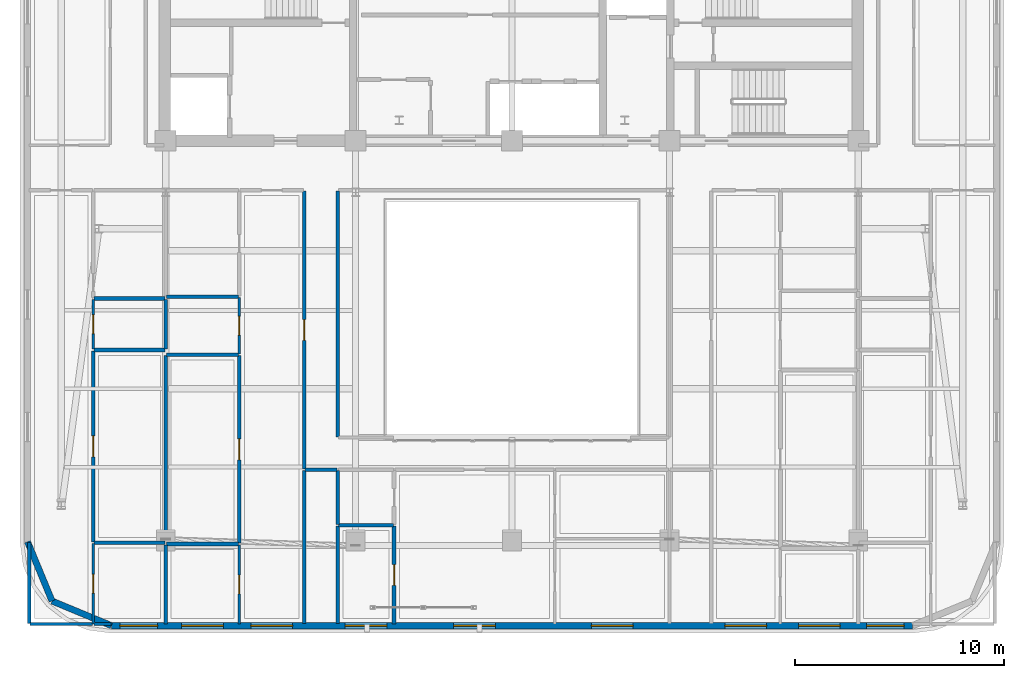
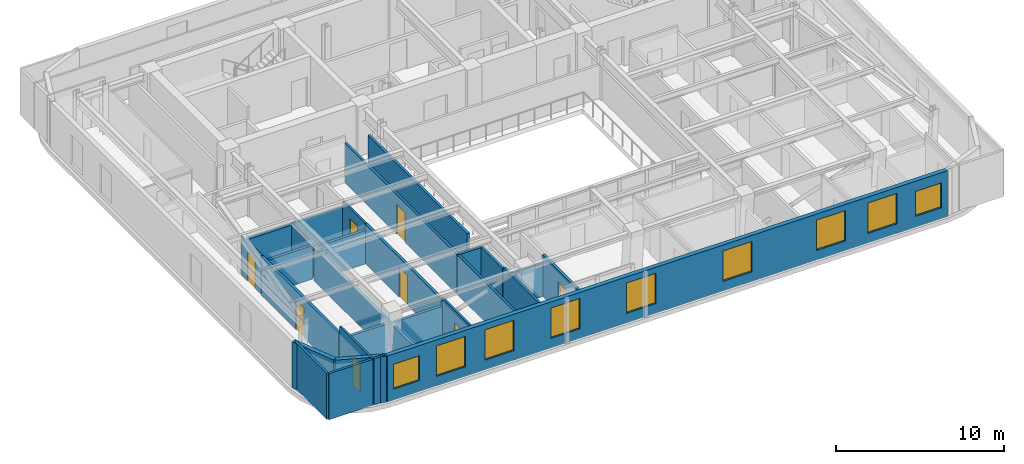
# One storey, part 6 of 14: 29 walls, 9 windows, 8 doors, 17 openings.
"""IFC4 building model written with IfcOpenShell, lengths in metres."""

from ifc_helpers import new_model, si_unit, direction, frame, frame_2d, origin, place, context, subcontext, project, spatial, rectangle, extrude, material, layer, layer_set, type_object, element, fill, save


model = new_model("IFC4")

# Units and contexts
model_context = context("Model", 3, precision=1e-05, world=origin(), true_north=direction((0.0, 1.0)))
body_context = subcontext(model_context, "Body", "Model", "MODEL_VIEW")
ifc_project = project(units=[si_unit("LENGTHUNIT", "METRE"), si_unit("AREAUNIT", "SQUARE_METRE"), si_unit("VOLUMEUNIT", "CUBIC_METRE"), si_unit("PLANEANGLEUNIT", "RADIAN"), si_unit("MASSUNIT", "GRAM", prefix="KILO")], contexts=[model_context])

# Site, building, storey
site_placement = place(None, origin())
site = spatial("IfcSite", under=ifc_project, at=site_placement, CompositionType="ELEMENT")
building_placement = place(site_placement, origin())
building = spatial("IfcBuilding", under=site, at=building_placement, Name="Zarnavel Station Tower", CompositionType="ELEMENT")
storey_placement = place(building_placement, frame((0.0, 0.0, 193.199951171875)))
storey = spatial("IfcBuildingStorey", under=building, at=storey_placement, Name="L52", CompositionType="ELEMENT", Elevation=193.199951171875)

# Walls
ifc_material_1 = material(Name="Precast concrete C45/55 (Dark Basalt Finish)", Category="masonry")
ifc_layer_1 = layer(ifc_material_1, 0.300048828125)
ifc_layer_set_1 = layer_set([ifc_layer_1], Name="EW_BASALT_300")
wall_type_1 = type_object("IfcWallType", Name="EW_BASALT_300", PredefinedType="SOLIDWALL", material=ifc_layer_set_1)
for number, where, z_axis, x_axis, name in (
    (1, (6.75732421875, 5.75732421875, 0.0), (0.0, 0.0, 1.0), (-0.382608747773, 0.923910464346, 0.0), "L52 Exterior Basalt Masonry Frame Wall 10"),
    (2, (9.60009765625, 4.580078125, 0.0), (0.0, 0.0, 1.0), (-0.923910464346, 0.382608747773, 0.0), "L52 Exterior Basalt Masonry Frame Wall 11"),
):
    element("IfcWall", number, at=place(storey_placement, frame(where, z_axis=z_axis, x_axis=x_axis)), inside=storey, type_object=wall_type_1, Name=name, PredefinedType="SOLIDWALL", context=body_context, shape_type="SweptSolid", body=[
        extrude(rectangle(XDim=3.076904296875, YDim=0.300048828125, at=frame_2d((1.53857421875, 0.0))), origin(), (0.0, 0.0, 1.0), 3.340087890625),
    ])

# Wall, openings, windows
wall_1_placement = place(storey_placement, frame((48.0, 4.580078125, 0.0), z_axis=(0.0, 0.0, 1.0), x_axis=(-1.0, 0.0, 0.0)))
wall_1 = element("IfcWall", 3, at=wall_1_placement, inside=storey, type_object=wall_type_1, Name="L52 Exterior Basalt Masonry Frame Wall 12", PredefinedType="SOLIDWALL", context=body_context, shape_type="SweptSolid", body=[
    extrude(rectangle(XDim=38.39990234375, YDim=0.300048828125, at=frame_2d((19.199951171875, 0.0))), origin(), (0.0, 0.0, 1.0), 3.340087890625),
])
opening_1_placement = place(wall_1_placement, frame((36.18994140625, 0.0, 0.800048828125)))
opening_1 = element("IfcOpeningElement", 4, at=opening_1_placement, cuts=wall_1, Name="Opening WN02", PredefinedType="OPENING", context=body_context, shape_type="SweptSolid", body=[
    extrude(rectangle(XDim=1.800048828125, YDim=1.800048828125, at=frame_2d((0.89990234375, 0.89990234375))), frame((0.0, 0.159912109375, 0.0), z_axis=(0.0, -1.0, 0.0), x_axis=(1.0, 0.0, 0.0)), (0.0, 0.0, 1.0), 0.320068359375),
])
opening_2_placement = place(wall_1_placement, frame((29.71240234375, 0.0, 0.699951171875)))
opening_2 = element("IfcOpeningElement", 5, at=opening_2_placement, cuts=wall_1, Name="Opening WN07", PredefinedType="OPENING", context=body_context, shape_type="SweptSolid", body=[
    extrude(rectangle(XDim=2.0, YDim=2.199951171875, at=frame_2d((1.0, 1.10009765625))), frame((0.0, 0.159912109375, 0.0), z_axis=(0.0, -1.0, 0.0), x_axis=(1.0, 0.0, 0.0)), (0.0, 0.0, 1.0), 0.320068359375),
])
opening_3_placement = place(wall_1_placement, frame((33.03759765625, 0.0, 0.699951171875)))
opening_3 = element("IfcOpeningElement", 6, at=opening_3_placement, cuts=wall_1, Name="Opening WN07", PredefinedType="OPENING", context=body_context, shape_type="SweptSolid", body=[
    extrude(rectangle(XDim=2.0, YDim=2.199951171875, at=frame_2d((1.0, 1.10009765625))), frame((0.0, 0.159912109375, 0.0), z_axis=(0.0, -1.0, 0.0), x_axis=(1.0, 0.0, 0.0)), (0.0, 0.0, 1.0), 0.320068359375),
])
opening_4_placement = place(wall_1_placement, frame((20.0, 0.0, 0.699951171875)))
opening_4 = element("IfcOpeningElement", 7, at=opening_4_placement, cuts=wall_1, Name="Opening WN07", PredefinedType="OPENING", context=body_context, shape_type="SweptSolid", body=[
    extrude(rectangle(XDim=2.0, YDim=2.199951171875, at=frame_2d((1.0, 1.10009765625))), frame((0.0, 0.159912109375, 0.0), z_axis=(0.0, -1.0, 0.0), x_axis=(1.0, 0.0, 0.0)), (0.0, 0.0, 1.0), 0.320068359375),
])
opening_5_placement = place(wall_1_placement, frame((25.199951171875, 0.0, 0.699951171875)))
opening_5 = element("IfcOpeningElement", 8, at=opening_5_placement, cuts=wall_1, Name="Opening WN07", PredefinedType="OPENING", context=body_context, shape_type="SweptSolid", body=[
    extrude(rectangle(XDim=2.0, YDim=2.199951171875, at=frame_2d((1.0, 1.10009765625))), frame((0.0, 0.159912109375, 0.0), z_axis=(0.0, -1.0, 0.0), x_axis=(1.0, 0.0, 0.0)), (0.0, 0.0, 1.0), 0.320068359375),
])
opening_6_placement = place(wall_1_placement, frame((13.39990234375, 0.0, 0.699951171875)))
opening_6 = element("IfcOpeningElement", 9, at=opening_6_placement, cuts=wall_1, Name="Opening WN07", PredefinedType="OPENING", context=body_context, shape_type="SweptSolid", body=[
    extrude(rectangle(XDim=2.0, YDim=2.199951171875, at=frame_2d((1.0, 1.10009765625))), frame((0.0, 0.159912109375, 0.0), z_axis=(0.0, -1.0, 0.0), x_axis=(1.0, 0.0, 0.0)), (0.0, 0.0, 1.0), 0.320068359375),
])
opening_7_placement = place(wall_1_placement, frame((6.993408203125, 0.0, 0.699951171875)))
opening_7 = element("IfcOpeningElement", 10, at=opening_7_placement, cuts=wall_1, Name="Opening WN07", PredefinedType="OPENING", context=body_context, shape_type="SweptSolid", body=[
    extrude(rectangle(XDim=2.0, YDim=2.199951171875, at=frame_2d((1.0, 1.10009765625))), frame((0.0, 0.159912109375, 0.0), z_axis=(0.0, -1.0, 0.0), x_axis=(1.0, 0.0, 0.0)), (0.0, 0.0, 1.0), 0.320068359375),
])
opening_8_placement = place(wall_1_placement, frame((3.468505859375, 0.0, 0.699951171875)))
opening_8 = element("IfcOpeningElement", 11, at=opening_8_placement, cuts=wall_1, Name="Opening WN07", PredefinedType="OPENING", context=body_context, shape_type="SweptSolid", body=[
    extrude(rectangle(XDim=2.0, YDim=2.199951171875, at=frame_2d((1.0, 1.10009765625))), frame((0.0, 0.159912109375, 0.0), z_axis=(0.0, -1.0, 0.0), x_axis=(1.0, 0.0, 0.0)), (0.0, 0.0, 1.0), 0.320068359375),
])
opening_9_placement = place(wall_1_placement, frame((0.409912109375, 0.0, 0.800048828125)))
opening_9 = element("IfcOpeningElement", 12, at=opening_9_placement, cuts=wall_1, Name="Opening WN02", PredefinedType="OPENING", context=body_context, shape_type="SweptSolid", body=[
    extrude(rectangle(XDim=1.800048828125, YDim=1.800048828125, at=frame_2d((0.89990234375, 0.89990234375))), frame((0.0, 0.159912109375, 0.0), z_axis=(0.0, -1.0, 0.0), x_axis=(1.0, 0.0, 0.0)), (0.0, 0.0, 1.0), 0.320068359375),
])
ifc_material_2 = material(Name="Thermally Broken Black Aluminium and Low-E Dark Glass", Category="aluminium")
window_type_1 = type_object("IfcWindowType", Name="WN_1800x1800", PartitioningType="DOUBLE_PANEL_VERTICAL", PredefinedType="WINDOW", material=ifc_material_2)
window_1_placement = place(opening_1_placement, origin())
window_1 = element("IfcWindow", 13, at=window_1_placement, inside=storey, type_object=window_type_1, Name="L52 Recessed Facade Window 01", OverallHeight=1.800048828125, OverallWidth=1.800048828125, PartitioningType="SINGLE_PANEL", PredefinedType="WINDOW", context=body_context, shape_type="SweptSolid", body=[
    extrude(rectangle(XDim=1.800048828125, YDim=1.800048828125, at=frame_2d((0.89990234375, 0.89990234375))), frame((0.0, 0.030029296875, 0.0), z_axis=(0.0, -1.0, 0.0), x_axis=(1.0, 0.0, 0.0)), (0.0, 0.0, 1.0), 0.06005859375),
])
fill(opening_1, window_1)
window_2_placement = place(opening_9_placement, origin())
window_2 = element("IfcWindow", 14, at=window_2_placement, inside=storey, type_object=window_type_1, Name="L52 Recessed Facade Window 09", OverallHeight=1.800048828125, OverallWidth=1.800048828125, PartitioningType="SINGLE_PANEL", PredefinedType="WINDOW", context=body_context, shape_type="SweptSolid", body=[
    extrude(rectangle(XDim=1.800048828125, YDim=1.800048828125, at=frame_2d((0.89990234375, 0.89990234375))), frame((0.0, 0.030029296875, 0.0), z_axis=(0.0, -1.0, 0.0), x_axis=(1.0, 0.0, 0.0)), (0.0, 0.0, 1.0), 0.06005859375),
])
fill(opening_9, window_2)
ifc_material_3 = material(Name="Thermally Broken Black Aluminium and Low-E Dark Glass", Category="aluminium")
window_type_2 = type_object("IfcWindowType", Name="WN_2000x2200", PartitioningType="TRIPLE_PANEL_VERTICAL", PredefinedType="WINDOW", material=ifc_material_3)
window_3_placement = place(opening_2_placement, origin())
window_3 = element("IfcWindow", 15, at=window_3_placement, inside=storey, type_object=window_type_2, Name="L52 Recessed Facade Window 02", OverallHeight=2.199951171875, OverallWidth=2.0, PartitioningType="SINGLE_PANEL", PredefinedType="WINDOW", context=body_context, shape_type="SweptSolid", body=[
    extrude(rectangle(XDim=2.0, YDim=2.199951171875, at=frame_2d((1.0, 1.10009765625))), frame((0.0, 0.030029296875, 0.0), z_axis=(0.0, -1.0, 0.0), x_axis=(1.0, 0.0, 0.0)), (0.0, 0.0, 1.0), 0.06005859375),
])
fill(opening_2, window_3)
window_4_placement = place(opening_3_placement, origin())
window_4 = element("IfcWindow", 16, at=window_4_placement, inside=storey, type_object=window_type_2, Name="L52 Recessed Facade Window 03", OverallHeight=2.199951171875, OverallWidth=2.0, PartitioningType="SINGLE_PANEL", PredefinedType="WINDOW", context=body_context, shape_type="SweptSolid", body=[
    extrude(rectangle(XDim=2.0, YDim=2.199951171875, at=frame_2d((1.0, 1.10009765625))), frame((0.0, 0.030029296875, 0.0), z_axis=(0.0, -1.0, 0.0), x_axis=(1.0, 0.0, 0.0)), (0.0, 0.0, 1.0), 0.06005859375),
])
fill(opening_3, window_4)
window_5_placement = place(opening_4_placement, origin())
window_5 = element("IfcWindow", 17, at=window_5_placement, inside=storey, type_object=window_type_2, Name="L52 Recessed Facade Window 04", OverallHeight=2.199951171875, OverallWidth=2.0, PartitioningType="SINGLE_PANEL", PredefinedType="WINDOW", context=body_context, shape_type="SweptSolid", body=[
    extrude(rectangle(XDim=2.0, YDim=2.199951171875, at=frame_2d((1.0, 1.10009765625))), frame((0.0, 0.030029296875, 0.0), z_axis=(0.0, -1.0, 0.0), x_axis=(1.0, 0.0, 0.0)), (0.0, 0.0, 1.0), 0.06005859375),
])
fill(opening_4, window_5)
window_6_placement = place(opening_5_placement, origin())
window_6 = element("IfcWindow", 18, at=window_6_placement, inside=storey, type_object=window_type_2, Name="L52 Recessed Facade Window 05", OverallHeight=2.199951171875, OverallWidth=2.0, PartitioningType="SINGLE_PANEL", PredefinedType="WINDOW", context=body_context, shape_type="SweptSolid", body=[
    extrude(rectangle(XDim=2.0, YDim=2.199951171875, at=frame_2d((1.0, 1.10009765625))), frame((0.0, 0.030029296875, 0.0), z_axis=(0.0, -1.0, 0.0), x_axis=(1.0, 0.0, 0.0)), (0.0, 0.0, 1.0), 0.06005859375),
])
fill(opening_5, window_6)
window_7_placement = place(opening_6_placement, origin())
window_7 = element("IfcWindow", 19, at=window_7_placement, inside=storey, type_object=window_type_2, Name="L52 Recessed Facade Window 06", OverallHeight=2.199951171875, OverallWidth=2.0, PartitioningType="SINGLE_PANEL", PredefinedType="WINDOW", context=body_context, shape_type="SweptSolid", body=[
    extrude(rectangle(XDim=2.0, YDim=2.199951171875, at=frame_2d((1.0, 1.10009765625))), frame((0.0, 0.030029296875, 0.0), z_axis=(0.0, -1.0, 0.0), x_axis=(1.0, 0.0, 0.0)), (0.0, 0.0, 1.0), 0.06005859375),
])
fill(opening_6, window_7)
window_8_placement = place(opening_7_placement, origin())
window_8 = element("IfcWindow", 20, at=window_8_placement, inside=storey, type_object=window_type_2, Name="L52 Recessed Facade Window 07", OverallHeight=2.199951171875, OverallWidth=2.0, PartitioningType="SINGLE_PANEL", PredefinedType="WINDOW", context=body_context, shape_type="SweptSolid", body=[
    extrude(rectangle(XDim=2.0, YDim=2.199951171875, at=frame_2d((1.0, 1.10009765625))), frame((0.0, 0.030029296875, 0.0), z_axis=(0.0, -1.0, 0.0), x_axis=(1.0, 0.0, 0.0)), (0.0, 0.0, 1.0), 0.06005859375),
])
fill(opening_7, window_8)
window_9_placement = place(opening_8_placement, origin())
window_9 = element("IfcWindow", 21, at=window_9_placement, inside=storey, type_object=window_type_2, Name="L52 Recessed Facade Window 08", OverallHeight=2.199951171875, OverallWidth=2.0, PartitioningType="SINGLE_PANEL", PredefinedType="WINDOW", context=body_context, shape_type="SweptSolid", body=[
    extrude(rectangle(XDim=2.0, YDim=2.199951171875, at=frame_2d((1.0, 1.10009765625))), frame((0.0, 0.030029296875, 0.0), z_axis=(0.0, -1.0, 0.0), x_axis=(1.0, 0.0, 0.0)), (0.0, 0.0, 1.0), 0.06005859375),
])
fill(opening_8, window_9)

# Wall, opening, door
ifc_material_4 = material(Name="Gypsum Twin-Stud Acoustic Fire Partition", Category="concrete")
ifc_layer_2 = layer(ifc_material_4, 0.159912109375)
ifc_layer_set_2 = layer_set([ifc_layer_2], Name="PT_DEMISE_160")
wall_type_2 = type_object("IfcWallType", Name="PT_DEMISE_160", PredefinedType="PARTITIONING", material=ifc_layer_set_2)
wall_2_placement = place(storey_placement, frame((18.85009765625, 12.090087890625, 0.0), z_axis=(0.0, 0.0, 1.0), x_axis=(0.0, 1.0, 0.0)))
wall_2 = element("IfcWall", 22, at=wall_2_placement, inside=storey, type_object=wall_type_2, Name="L52 Partition COR-AW-UW2LV", PredefinedType="PARTITIONING", context=body_context, shape_type="SweptSolid", body=[
    extrude(rectangle(XDim=13.31982421875, YDim=0.159912109375, at=frame_2d((6.659912109375, 0.0))), origin(), (0.0, 0.0, 1.0), 2.8701171875),
])
opening_10_placement = place(wall_2_placement, frame((6.159912109375, 0.0, 0.0)))
opening_10 = element("IfcOpeningElement", 23, at=opening_10_placement, cuts=wall_2, Name="Opening FD02", PredefinedType="OPENING", context=body_context, shape_type="SweptSolid", body=[
    extrude(rectangle(XDim=1.0, YDim=2.14990234375, at=frame_2d((0.5, 1.074951171875))), frame((0.0, 0.08984375, 0.0), z_axis=(0.0, -1.0, 0.0), x_axis=(1.0, 0.0, 0.0)), (0.0, 0.0, 1.0), 0.179931640625),
])
ifc_material_5 = material(Name="Painted Galvanised Steel and Hardwood Leaf", Category="steel")
door_type_1 = type_object("IfcDoorType", Name="ID_ENTRY_1000", OperationType="NOTDEFINED", PredefinedType="DOOR", material=ifc_material_5)
door_1_placement = place(opening_10_placement, origin())
door_1 = element("IfcDoor", 24, at=door_1_placement, inside=storey, type_object=door_type_1, Name="L52 Door COR-AW-UW2LV", OperationType="SINGLE_SWING_RIGHT", OverallHeight=2.14990234375, OverallWidth=1.0, PredefinedType="DOOR", context=body_context, shape_type="SweptSolid", body=[
    extrude(rectangle(XDim=1.0, YDim=2.14990234375, at=frame_2d((0.5, 1.074951171875))), frame((0.0, 0.02490234375, 0.0), z_axis=(0.0, -1.0, 0.0), x_axis=(1.0, 0.0, 0.0)), (0.0, 0.0, 1.0), 0.050048828125),
])
fill(opening_10, door_1)

# Walls
wall_3_placement = place(storey_placement, frame((12.199951171875, 4.659912109375, 0.0), z_axis=(0.0, 0.0, 1.0), x_axis=(0.0, 1.0, 0.0)))
element("IfcWall", 25, at=wall_3_placement, inside=storey, type_object=wall_type_2, Name="L52 Partition UW1B1-UW2B1", PredefinedType="PARTITIONING", context=body_context, shape_type="SweptSolid", body=[
    extrude(rectangle(XDim=3.7900390625, YDim=0.159912109375, at=frame_2d((1.89501953125, 0.0))), origin(), (0.0, 0.0, 1.0), 2.420166015625),
])
wall_4_placement = place(storey_placement, frame((12.199951171875, 17.827880859375, 0.0), z_axis=(0.0, 0.0, 1.0), x_axis=(0.0, 1.0, 0.0)))
element("IfcWall", 26, at=wall_4_placement, inside=storey, type_object=wall_type_2, Name="L52 Partition UW1UT-UW2UT", PredefinedType="PARTITIONING", context=body_context, shape_type="SweptSolid", body=[
    extrude(rectangle(XDim=2.38916015625, YDim=0.159912109375, at=frame_2d((1.194580078125, 0.0))), origin(), (0.0, 0.0, 1.0), 2.420166015625),
])
wall_5_placement = place(storey_placement, frame((18.8798828125, 12.050048828125, 0.0), z_axis=(0.0, 0.0, 1.0), x_axis=(1.0, 0.0, 0.0)))
element("IfcWall", 27, at=wall_5_placement, inside=storey, type_object=wall_type_2, Name="L52 Enclosure Wall COR-AW", PredefinedType="PARTITIONING", context=body_context, shape_type="SweptSolid", body=[
    extrude(rectangle(XDim=1.5400390625, YDim=0.159912109375, at=frame_2d((0.77001953125, 0.0))), origin(), (0.0, 0.0, 1.0), 2.8701171875),
])
wall_6_placement = place(storey_placement, frame((20.449951171875, 13.6298828125, 0.0), z_axis=(0.0, 0.0, 1.0), x_axis=(0.0, 1.0, 0.0)))
element("IfcWall", 28, at=wall_6_placement, inside=storey, type_object=wall_type_2, Name="L52 Enclosure Wall COR-AW", PredefinedType="PARTITIONING", context=body_context, shape_type="SweptSolid", body=[
    extrude(rectangle(XDim=11.7900390625, YDim=0.159912109375, at=frame_2d((5.89501953125, 0.0))), origin(), (0.0, 0.0, 1.0), 2.8701171875),
])
wall_7_placement = place(storey_placement, frame((5.68994140625, 4.659912109375, 0.0), z_axis=(0.0, 0.0, 1.0), x_axis=(1.0, 0.0, 0.0)))
element("IfcWall", 29, at=wall_7_placement, inside=storey, type_object=wall_type_2, Name="L52 Enclosure Wall UW1LV", PredefinedType="PARTITIONING", context=body_context, shape_type="SweptSolid", body=[
    extrude(rectangle(XDim=3.01416015625, YDim=0.159912109375, at=frame_2d((1.507080078125, 0.0))), origin(), (0.0, 0.0, 1.0), 3.340087890625),
])
wall_8_placement = place(storey_placement, frame((5.659912109375, 4.68994140625, 0.0), z_axis=(0.0, 0.0, 1.0), x_axis=(0.0, 1.0, 0.0)))
element("IfcWall", 30, at=wall_8_placement, inside=storey, type_object=wall_type_2, Name="L52 Enclosure Wall UW1LV", PredefinedType="PARTITIONING", context=body_context, shape_type="SweptSolid", body=[
    extrude(rectangle(XDim=3.880126953125, YDim=0.159912109375, at=frame_2d((1.93994140625, 0.0))), origin(), (0.0, 0.0, 1.0), 3.340087890625),
])
wall_9_placement = place(storey_placement, frame((8.763916015625, 4.659912109375, 0.0), z_axis=(0.0, 0.0, 1.0), x_axis=(1.0, 0.0, 0.0)))
element("IfcWall", 31, at=wall_9_placement, inside=storey, type_object=wall_type_2, Name="L52 Enclosure Wall UW1B1", PredefinedType="PARTITIONING", context=body_context, shape_type="SweptSolid", body=[
    extrude(rectangle(XDim=0.80615234375, YDim=0.159912109375, at=frame_2d((0.403076171875, 0.0))), origin(), (0.0, 0.0, 1.0), 3.340087890625),
])
wall_10_placement = place(storey_placement, frame((18.85009765625, 4.68994140625, 0.0), z_axis=(0.0, 0.0, 1.0), x_axis=(0.0, 1.0, 0.0)))
element("IfcWall", 32, at=wall_10_placement, inside=storey, type_object=wall_type_2, Name="L52 Enclosure Wall UW2LV", PredefinedType="PARTITIONING", context=body_context, shape_type="SweptSolid", body=[
    extrude(rectangle(XDim=7.330078125, YDim=0.159912109375, at=frame_2d((3.6650390625, 0.0))), origin(), (0.0, 0.0, 1.0), 2.8701171875),
])
wall_11_placement = place(storey_placement, frame((20.449951171875, 4.68994140625, 0.0), z_axis=(0.0, 0.0, 1.0), x_axis=(0.0, 1.0, 0.0)))
element("IfcWall", 33, at=wall_11_placement, inside=storey, type_object=wall_type_2, Name="L52 Enclosure Wall US1KT", PredefinedType="PARTITIONING", context=body_context, shape_type="SweptSolid", body=[
    extrude(rectangle(XDim=4.670166015625, YDim=0.159912109375, at=frame_2d((2.3349609375, 0.0))), origin(), (0.0, 0.0, 1.0), 3.0),
])
wall_12_placement = place(storey_placement, frame((20.449951171875, 9.419921875, 0.0), z_axis=(0.0, 0.0, 1.0), x_axis=(0.0, 1.0, 0.0)))
element("IfcWall", 34, at=wall_12_placement, inside=storey, type_object=wall_type_2, Name="L52 Enclosure Wall US1BA", PredefinedType="PARTITIONING", context=body_context, shape_type="SweptSolid", body=[
    extrude(rectangle(XDim=2.60009765625, YDim=0.159912109375, at=frame_2d((1.300048828125, 0.0))), origin(), (0.0, 0.0, 1.0), 2.8701171875),
])

# Wall, opening, door
ifc_material_6 = material(Name="Gypsum Metal-Stud Interior Partition", Category="concrete")
ifc_layer_3 = layer(ifc_material_6, 0.1201171875)
ifc_layer_set_3 = layer_set([ifc_layer_3], Name="PT_ROOM_120")
wall_type_3 = type_object("IfcWallType", Name="PT_ROOM_120", PredefinedType="PARTITIONING", material=ifc_layer_set_3)
wall_13_placement = place(storey_placement, frame((8.73388671875, 4.659912109375, 0.0), z_axis=(0.0, 0.0, 1.0), x_axis=(0.0, 1.0, 0.0)))
wall_13 = element("IfcWall", 35, at=wall_13_placement, inside=storey, type_object=wall_type_3, Name="L52 Partition UW1LV-UW1B1", PredefinedType="PARTITIONING", context=body_context, shape_type="SweptSolid", body=[
    extrude(rectangle(XDim=3.85498046875, YDim=0.1201171875, at=frame_2d((1.927490234375, 0.0))), origin(), (0.0, 0.0, 1.0), 3.340087890625),
])
opening_11_placement = place(wall_13_placement, frame((1.4775390625, 0.0, 0.0)))
opening_11 = element("IfcOpeningElement", 36, at=opening_11_placement, cuts=wall_13, Name="Opening ID01", PredefinedType="OPENING", context=body_context, shape_type="SweptSolid", body=[
    extrude(rectangle(XDim=0.89990234375, YDim=2.10009765625, at=frame_2d((0.449951171875, 1.050048828125))), frame((0.0, 0.070068359375, 0.0), z_axis=(0.0, -1.0, 0.0), x_axis=(1.0, 0.0, 0.0)), (0.0, 0.0, 1.0), 0.14013671875),
])
ifc_material_7 = material(Name="Painted Galvanised Steel and Hardwood Leaf", Category="steel")
door_type_2 = type_object("IfcDoorType", Name="ID_ROOM_900", OperationType="NOTDEFINED", PredefinedType="DOOR", material=ifc_material_7)
door_2_placement = place(opening_11_placement, origin())
door_2 = element("IfcDoor", 37, at=door_2_placement, inside=storey, type_object=door_type_2, Name="L52 Door UW1LV-UW1B1", OperationType="SINGLE_SWING_LEFT", OverallHeight=2.10009765625, OverallWidth=0.89990234375, PredefinedType="DOOR", context=body_context, shape_type="SweptSolid", body=[
    extrude(rectangle(XDim=0.89990234375, YDim=2.10009765625, at=frame_2d((0.449951171875, 1.050048828125))), frame((0.0, 0.02490234375, 0.0), z_axis=(0.0, -1.0, 0.0), x_axis=(1.0, 0.0, 0.0)), (0.0, 0.0, 1.0), 0.050048828125),
])
fill(opening_11, door_2)

wall_14_placement = place(storey_placement, frame((8.73388671875, 17.827880859375, 0.0), z_axis=(0.0, 0.0, 1.0), x_axis=(0.0, 1.0, 0.0)))
wall_14 = element("IfcWall", 38, at=wall_14_placement, inside=storey, type_object=wall_type_3, Name="L52 Partition UW1LV-UW1UT", PredefinedType="PARTITIONING", context=body_context, shape_type="SweptSolid", body=[
    extrude(rectangle(XDim=2.38916015625, YDim=0.1201171875, at=frame_2d((1.194580078125, 0.0))), origin(), (0.0, 0.0, 1.0), 2.820068359375),
])
opening_12_placement = place(wall_14_placement, frame((0.744384765625, 0.0, 0.0)))
opening_12 = element("IfcOpeningElement", 39, at=opening_12_placement, cuts=wall_14, Name="Opening ID01", PredefinedType="OPENING", context=body_context, shape_type="SweptSolid", body=[
    extrude(rectangle(XDim=0.89990234375, YDim=2.10009765625, at=frame_2d((0.449951171875, 1.050048828125))), frame((0.0, 0.070068359375, 0.0), z_axis=(0.0, -1.0, 0.0), x_axis=(1.0, 0.0, 0.0)), (0.0, 0.0, 1.0), 0.14013671875),
])
door_3_placement = place(opening_12_placement, origin())
door_3 = element("IfcDoor", 40, at=door_3_placement, inside=storey, type_object=door_type_2, Name="L52 Door UW1LV-UW1UT", OperationType="SINGLE_SWING_LEFT", OverallHeight=2.10009765625, OverallWidth=0.89990234375, PredefinedType="DOOR", context=body_context, shape_type="SweptSolid", body=[
    extrude(rectangle(XDim=0.89990234375, YDim=2.10009765625, at=frame_2d((0.449951171875, 1.050048828125))), frame((0.0, 0.02490234375, 0.0), z_axis=(0.0, -1.0, 0.0), x_axis=(1.0, 0.0, 0.0)), (0.0, 0.0, 1.0), 0.050048828125),
])
fill(opening_12, door_3)

wall_15_placement = place(storey_placement, frame((15.72509765625, 4.659912109375, 0.0), z_axis=(0.0, 0.0, 1.0), x_axis=(0.0, 1.0, 0.0)))
wall_15 = element("IfcWall", 41, at=wall_15_placement, inside=storey, type_object=wall_type_3, Name="L52 Partition UW2LV-UW2B1", PredefinedType="PARTITIONING", context=body_context, shape_type="SweptSolid", body=[
    extrude(rectangle(XDim=3.7900390625, YDim=0.1201171875, at=frame_2d((1.89501953125, 0.0))), origin(), (0.0, 0.0, 1.0), 3.0),
])
opening_13_placement = place(wall_15_placement, frame((1.445068359375, 0.0, 0.0)))
opening_13 = element("IfcOpeningElement", 42, at=opening_13_placement, cuts=wall_15, Name="Opening ID01", PredefinedType="OPENING", context=body_context, shape_type="SweptSolid", body=[
    extrude(rectangle(XDim=0.89990234375, YDim=2.10009765625, at=frame_2d((0.449951171875, 1.050048828125))), frame((0.0, 0.070068359375, 0.0), z_axis=(0.0, -1.0, 0.0), x_axis=(1.0, 0.0, 0.0)), (0.0, 0.0, 1.0), 0.14013671875),
])
door_4_placement = place(opening_13_placement, origin())
door_4 = element("IfcDoor", 43, at=door_4_placement, inside=storey, type_object=door_type_2, Name="L52 Door UW2LV-UW2B1", OperationType="SINGLE_SWING_LEFT", OverallHeight=2.10009765625, OverallWidth=0.89990234375, PredefinedType="DOOR", context=body_context, shape_type="SweptSolid", body=[
    extrude(rectangle(XDim=0.89990234375, YDim=2.10009765625, at=frame_2d((0.449951171875, 1.050048828125))), frame((0.0, 0.02490234375, 0.0), z_axis=(0.0, -1.0, 0.0), x_axis=(1.0, 0.0, 0.0)), (0.0, 0.0, 1.0), 0.050048828125),
])
fill(opening_13, door_4)

wall_16_placement = place(storey_placement, frame((15.72509765625, 17.60791015625, 0.0), z_axis=(0.0, 0.0, 1.0), x_axis=(0.0, 1.0, 0.0)))
wall_16 = element("IfcWall", 44, at=wall_16_placement, inside=storey, type_object=wall_type_3, Name="L52 Partition UW2LV-UW2UT", PredefinedType="PARTITIONING", context=body_context, shape_type="SweptSolid", body=[
    extrude(rectangle(XDim=2.696044921875, YDim=0.1201171875, at=frame_2d((1.34814453125, 0.0))), origin(), (0.0, 0.0, 1.0), 2.8701171875),
])
opening_14_placement = place(wall_16_placement, frame((0.89794921875, 0.0, 0.0)))
opening_14 = element("IfcOpeningElement", 45, at=opening_14_placement, cuts=wall_16, Name="Opening ID01", PredefinedType="OPENING", context=body_context, shape_type="SweptSolid", body=[
    extrude(rectangle(XDim=0.89990234375, YDim=2.10009765625, at=frame_2d((0.449951171875, 1.050048828125))), frame((0.0, 0.070068359375, 0.0), z_axis=(0.0, -1.0, 0.0), x_axis=(1.0, 0.0, 0.0)), (0.0, 0.0, 1.0), 0.14013671875),
])
door_5_placement = place(opening_14_placement, origin())
door_5 = element("IfcDoor", 46, at=door_5_placement, inside=storey, type_object=door_type_2, Name="L52 Door UW2LV-UW2UT", OperationType="SINGLE_SWING_LEFT", OverallHeight=2.10009765625, OverallWidth=0.89990234375, PredefinedType="DOOR", context=body_context, shape_type="SweptSolid", body=[
    extrude(rectangle(XDim=0.89990234375, YDim=2.10009765625, at=frame_2d((0.449951171875, 1.050048828125))), frame((0.0, 0.02490234375, 0.0), z_axis=(0.0, -1.0, 0.0), x_axis=(1.0, 0.0, 0.0)), (0.0, 0.0, 1.0), 0.050048828125),
])
fill(opening_14, door_5)

ifc_material_8 = material(Name="Moisture-Resistant Plumbing Chase Wall", Category="concrete")
ifc_layer_4 = layer(ifc_material_8, 0.179931640625)
ifc_layer_set_4 = layer_set([ifc_layer_4], Name="PW_PLUMB_180")
wall_type_4 = type_object("IfcWallType", Name="PW_PLUMB_180", PredefinedType="PLUMBINGWALL", material=ifc_layer_set_4)
wall_17_placement = place(storey_placement, frame((8.73388671875, 8.594970703125, 0.0), z_axis=(0.0, 0.0, 1.0), x_axis=(0.0, 1.0, 0.0)))
wall_17 = element("IfcWall", 47, at=wall_17_placement, inside=storey, type_object=wall_type_4, Name="L52 Partition UW1LV-UW1KT", PredefinedType="PLUMBINGWALL", context=body_context, shape_type="SweptSolid", body=[
    extrude(rectangle(XDim=9.153076171875, YDim=0.179931640625, at=frame_2d((4.57666015625, 0.0))), origin(), (0.0, 0.0, 1.0), 2.820068359375),
])
opening_15_placement = place(wall_17_placement, frame((4.076416015625, 0.0, 0.0)))
opening_15 = element("IfcOpeningElement", 48, at=opening_15_placement, cuts=wall_17, Name="Opening FD02", PredefinedType="OPENING", context=body_context, shape_type="SweptSolid", body=[
    extrude(rectangle(XDim=1.0, YDim=2.14990234375, at=frame_2d((0.5, 1.074951171875))), frame((0.0, 0.099853515625, 0.0), z_axis=(0.0, -1.0, 0.0), x_axis=(1.0, 0.0, 0.0)), (0.0, 0.0, 1.0), 0.199951171875),
])
door_6_placement = place(opening_15_placement, origin())
door_6 = element("IfcDoor", 49, at=door_6_placement, inside=storey, type_object=door_type_1, Name="L52 Door UW1LV-UW1KT", OperationType="SINGLE_SWING_RIGHT", OverallHeight=2.14990234375, OverallWidth=1.0, PredefinedType="DOOR", context=body_context, shape_type="SweptSolid", body=[
    extrude(rectangle(XDim=1.0, YDim=2.14990234375, at=frame_2d((0.5, 1.074951171875))), frame((0.0, 0.02490234375, 0.0), z_axis=(0.0, -1.0, 0.0), x_axis=(1.0, 0.0, 0.0)), (0.0, 0.0, 1.0), 0.050048828125),
])
fill(opening_15, door_6)

# Walls
for number, where, z_axis, x_axis, name in (
    (50, (8.77392578125, 8.554931640625, 0.0), (0.0, 0.0, 1.0), (1.0, 0.0, 0.0), "L52 Partition UW1B1-UW1KT"),
    (51, (8.77392578125, 17.7880859375, 0.0), (0.0, 0.0, 1.0), (1.0, 0.0, 0.0), "L52 Partition UW1KT-UW1UT"),
):
    element("IfcWall", number, at=place(storey_placement, frame(where, z_axis=z_axis, x_axis=x_axis)), inside=storey, type_object=wall_type_4, Name=name, PredefinedType="PLUMBINGWALL", context=body_context, shape_type="SweptSolid", body=[
        extrude(rectangle(XDim=3.385986328125, YDim=0.179931640625, at=frame_2d((1.69287109375, 0.0))), origin(), (0.0, 0.0, 1.0), 2.420166015625),
    ])
wall_18_placement = place(storey_placement, frame((12.199951171875, 8.594970703125, 0.0), z_axis=(0.0, 0.0, 1.0), x_axis=(0.0, 1.0, 0.0)))
element("IfcWall", 52, at=wall_18_placement, inside=storey, type_object=wall_type_4, Name="L52 Partition UW1KT-UW2KT", PredefinedType="PLUMBINGWALL", context=body_context, shape_type="SweptSolid", body=[
    extrude(rectangle(XDim=8.93310546875, YDim=0.179931640625, at=frame_2d((4.466552734375, 0.0))), origin(), (0.0, 0.0, 1.0), 2.420166015625),
])
wall_19_placement = place(storey_placement, frame((8.77392578125, 20.257080078125, 0.0), z_axis=(0.0, 0.0, 1.0), x_axis=(1.0, 0.0, 0.0)))
element("IfcWall", 53, at=wall_19_placement, inside=storey, type_object=wall_type_4, Name="L52 Partition UW1UT-UW1BA", PredefinedType="PLUMBINGWALL", context=body_context, shape_type="SweptSolid", body=[
    extrude(rectangle(XDim=3.385986328125, YDim=0.179931640625, at=frame_2d((1.69287109375, 0.0))), origin(), (0.0, 0.0, 1.0), 2.420166015625),
])

# Wall, opening, door
wall_20_placement = place(storey_placement, frame((15.72509765625, 8.530029296875, 0.0), z_axis=(0.0, 0.0, 1.0), x_axis=(0.0, 1.0, 0.0)))
wall_20 = element("IfcWall", 54, at=wall_20_placement, inside=storey, type_object=wall_type_4, Name="L52 Partition UW2LV-UW2KT", PredefinedType="PLUMBINGWALL", context=body_context, shape_type="SweptSolid", body=[
    extrude(rectangle(XDim=8.998046875, YDim=0.179931640625, at=frame_2d((4.4990234375, 0.0))), origin(), (0.0, 0.0, 1.0), 2.8701171875),
])
opening_16_placement = place(wall_20_placement, frame((3.9990234375, 0.0, 0.0)))
opening_16 = element("IfcOpeningElement", 55, at=opening_16_placement, cuts=wall_20, Name="Opening FD02", PredefinedType="OPENING", context=body_context, shape_type="SweptSolid", body=[
    extrude(rectangle(XDim=1.0, YDim=2.14990234375, at=frame_2d((0.5, 1.074951171875))), frame((0.0, 0.099853515625, 0.0), z_axis=(0.0, -1.0, 0.0), x_axis=(1.0, 0.0, 0.0)), (0.0, 0.0, 1.0), 0.199951171875),
])
door_7_placement = place(opening_16_placement, origin())
door_7 = element("IfcDoor", 56, at=door_7_placement, inside=storey, type_object=door_type_1, Name="L52 Door UW2LV-UW2KT", OperationType="SINGLE_SWING_RIGHT", OverallHeight=2.14990234375, OverallWidth=1.0, PredefinedType="DOOR", context=body_context, shape_type="SweptSolid", body=[
    extrude(rectangle(XDim=1.0, YDim=2.14990234375, at=frame_2d((0.5, 1.074951171875))), frame((0.0, 0.02490234375, 0.0), z_axis=(0.0, -1.0, 0.0), x_axis=(1.0, 0.0, 0.0)), (0.0, 0.0, 1.0), 0.050048828125),
])
fill(opening_16, door_7)

# Walls
for number, where, z_axis, x_axis, name in (
    (57, (12.239990234375, 8.489990234375, 0.0), (0.0, 0.0, 1.0), (1.0, 0.0, 0.0), "L52 Partition UW2B1-UW2KT"),
    (58, (12.239990234375, 17.568115234375, 0.0), (0.0, 0.0, 1.0), (1.0, 0.0, 0.0), "L52 Partition UW2KT-UW2UT"),
    (59, (12.239990234375, 20.343994140625, 0.0), (0.0, 0.0, 1.0), (1.0, 0.0, 0.0), "L52 Partition UW2UT-UW2BA"),
):
    element("IfcWall", number, at=place(storey_placement, frame(where, z_axis=z_axis, x_axis=x_axis)), inside=storey, type_object=wall_type_4, Name=name, PredefinedType="PLUMBINGWALL", context=body_context, shape_type="SweptSolid", body=[
        extrude(rectangle(XDim=3.445068359375, YDim=0.179931640625, at=frame_2d((1.72265625, 0.0))), origin(), (0.0, 0.0, 1.0), 2.420166015625),
    ])

# Wall, opening, door
wall_21_placement = place(storey_placement, frame((23.14990234375, 4.659912109375, 0.0), z_axis=(0.0, 0.0, 1.0), x_axis=(0.0, 1.0, 0.0)))
wall_21 = element("IfcWall", 60, at=wall_21_placement, inside=storey, type_object=wall_type_4, Name="L52 Partition US1LV-US1KT", PredefinedType="PLUMBINGWALL", context=body_context, shape_type="SweptSolid", body=[
    extrude(rectangle(XDim=4.690185546875, YDim=0.179931640625, at=frame_2d((2.34521484375, 0.0))), origin(), (0.0, 0.0, 1.0), 3.0),
])
opening_17_placement = place(wall_21_placement, frame((1.844970703125, 0.0, 0.0)))
opening_17 = element("IfcOpeningElement", 61, at=opening_17_placement, cuts=wall_21, Name="Opening FD02", PredefinedType="OPENING", context=body_context, shape_type="SweptSolid", body=[
    extrude(rectangle(XDim=1.0, YDim=2.14990234375, at=frame_2d((0.5, 1.074951171875))), frame((0.0, 0.099853515625, 0.0), z_axis=(0.0, -1.0, 0.0), x_axis=(1.0, 0.0, 0.0)), (0.0, 0.0, 1.0), 0.199951171875),
])
door_8_placement = place(opening_17_placement, origin())
door_8 = element("IfcDoor", 62, at=door_8_placement, inside=storey, type_object=door_type_1, Name="L52 Door US1LV-US1KT", OperationType="SINGLE_SWING_LEFT", OverallHeight=2.14990234375, OverallWidth=1.0, PredefinedType="DOOR", context=body_context, shape_type="SweptSolid", body=[
    extrude(rectangle(XDim=1.0, YDim=2.14990234375, at=frame_2d((0.5, 1.074951171875))), frame((0.0, 0.02490234375, 0.0), z_axis=(0.0, -1.0, 0.0), x_axis=(1.0, 0.0, 0.0)), (0.0, 0.0, 1.0), 0.050048828125),
])
fill(opening_17, door_8)

# Wall
wall_22_placement = place(storey_placement, frame((20.489990234375, 9.389892578125, 0.0), z_axis=(0.0, 0.0, 1.0), x_axis=(1.0, 0.0, 0.0)))
element("IfcWall", 63, at=wall_22_placement, inside=storey, type_object=wall_type_4, Name="L52 Partition US1KT-US1BA", PredefinedType="PLUMBINGWALL", context=body_context, shape_type="SweptSolid", body=[
    extrude(rectangle(XDim=2.6201171875, YDim=0.179931640625, at=frame_2d((1.31005859375, 0.0))), origin(), (0.0, 0.0, 1.0), 2.420166015625),
])

save(model, "model.ifc")
